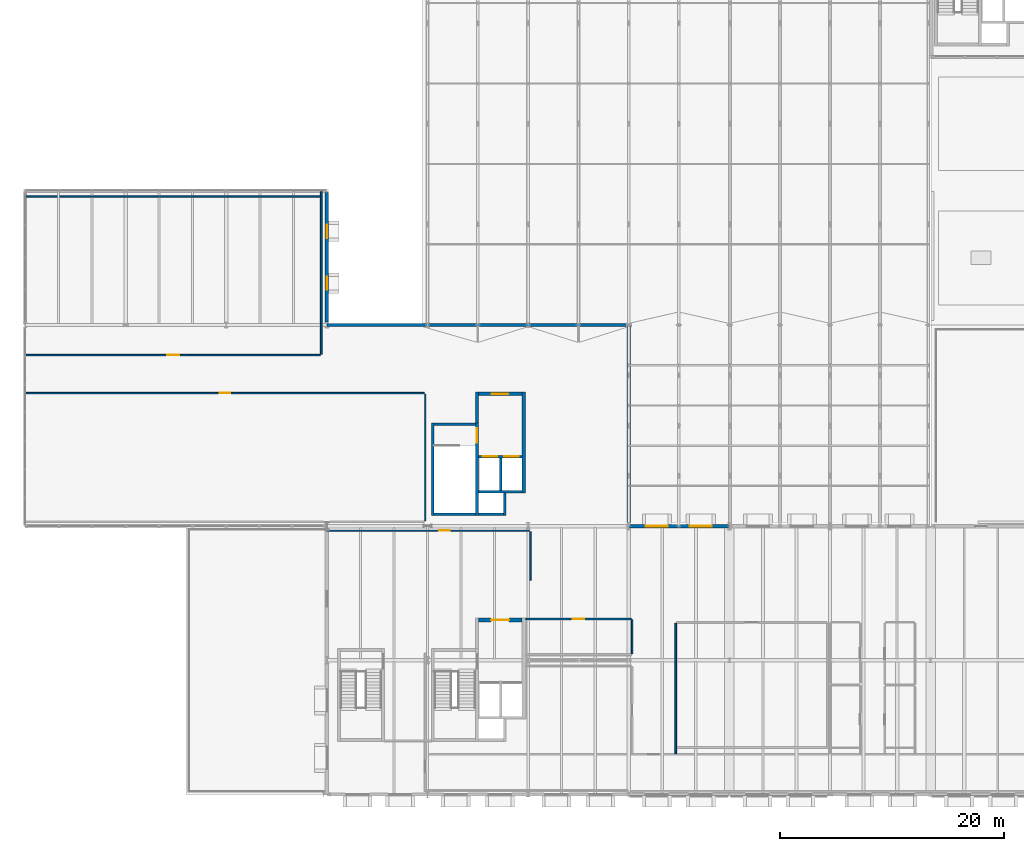
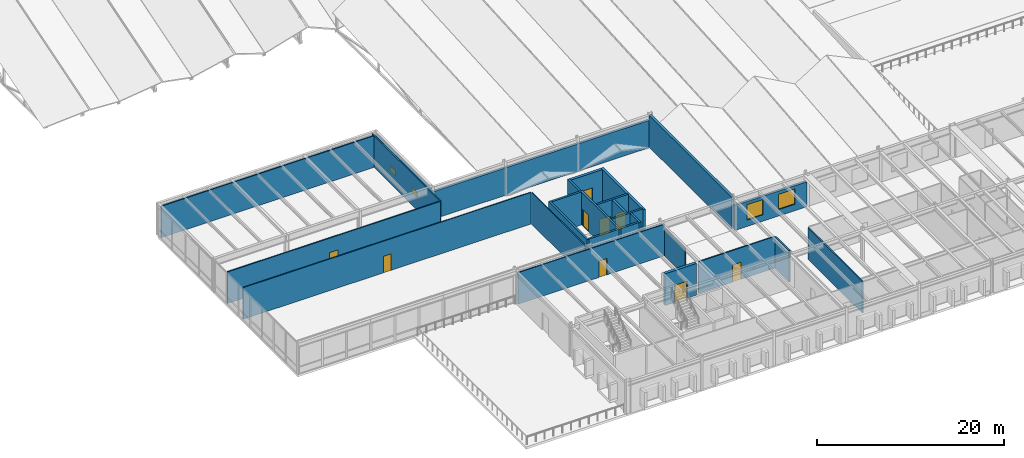
# One storey, part 131 of 142: 29 walls, 9 doors, 4 windows, 13 openings.
"""IFC4 building model written with IfcOpenShell, lengths in metres."""

from ifc_helpers import new_model, si_unit, direction, frame, frame_2d, origin, place, context, subcontext, project, spatial, rectangle, extrude, material, layer, layer_set, type_object, element, fill, save


model = new_model("IFC4")

# Units and contexts
model_context = context("Model", 3, precision=1e-05, world=origin(), true_north=direction((0.0, 1.0)))
body_context = subcontext(model_context, "Body", "Model", "MODEL_VIEW")
ifc_project = project(units=[si_unit("LENGTHUNIT", "METRE"), si_unit("AREAUNIT", "SQUARE_METRE"), si_unit("VOLUMEUNIT", "CUBIC_METRE"), si_unit("PLANEANGLEUNIT", "RADIAN"), si_unit("MASSUNIT", "GRAM", prefix="KILO")], contexts=[model_context])

# Site, building, storey
site_placement = place(None, origin())
site = spatial("IfcSite", under=ifc_project, at=site_placement, CompositionType="ELEMENT")
building_placement = place(site_placement, origin())
building = spatial("IfcBuilding", under=site, at=building_placement, Name="Montelvaro Courts of Justice", CompositionType="ELEMENT")
storey_placement = place(building_placement, frame((0.0, 0.0, 14.39990234375)))
storey = spatial("IfcBuildingStorey", under=building, at=storey_placement, Name="L03", CompositionType="ELEMENT", Elevation=14.39990234375)

# Wall
ifc_material_1 = material(Name="Gypsum board on metal stud")
ifc_layer_1 = layer(ifc_material_1, 0.14990234375)
ifc_layer_set_1 = layer_set([ifc_layer_1], Name="Gypsum board on metal stud")
wall_type_1 = type_object("IfcWallType", Name="ChambersPartition_150", PredefinedType="PARTITIONING", material=ifc_layer_set_1)
wall_1_placement = place(storey_placement, frame((44.5, 53.925048828125, 0.0), z_axis=(0.0, 0.0, 1.0), x_axis=(0.0, -1.0, 0.0)))
element("IfcWall", 1, at=wall_1_placement, inside=storey, type_object=wall_type_1, Name="Interior Partition IW-04 (L03)", PredefinedType="PARTITIONING", context=body_context, shape_type="SweptSolid", body=[
    extrude(rectangle(XDim=14.545166015625, YDim=0.14990234375, at=frame_2d((7.2724609375, 0.0))), origin(), (0.0, 0.0, 1.0), 4.14013671875),
])

# Wall, opening, door
wall_2_placement = place(storey_placement, frame((44.419921875, 39.300048828125, 0.0), z_axis=(0.0, 0.0, 1.0), x_axis=(-1.0, 0.0, 0.0)))
wall_2 = element("IfcWall", 2, at=wall_2_placement, inside=storey, type_object=wall_type_1, Name="Interior Partition IW-04 (L03)", PredefinedType="PARTITIONING", context=body_context, shape_type="SweptSolid", body=[
    extrude(rectangle(XDim=26.344970703125, YDim=0.14990234375, at=frame_2d((13.17236328125, 0.0))), origin(), (0.0, 0.0, 1.0), 4.14013671875),
])
opening_1_placement = place(wall_2_placement, frame((12.64697265625, 0.0, 0.0)))
opening_1 = element("IfcOpeningElement", 3, at=opening_1_placement, cuts=wall_2, Name="Opening D-L03-115", PredefinedType="OPENING", context=body_context, shape_type="SweptSolid", body=[
    extrude(rectangle(XDim=1.050048828125, YDim=2.25, at=frame_2d((0.52490234375, 1.125))), frame((0.0, 0.08984375, 0.0), z_axis=(0.0, -1.0, 0.0), x_axis=(1.0, 0.0, 0.0)), (0.0, 0.0, 1.0), 0.1796875),
])
ifc_material_2 = material(Name="Acoustic oak timber veneer", Category="wood")
door_type_1 = type_object("IfcDoorType", Name="ChamberDoor_105x225", OperationType="NOTDEFINED", PredefinedType="DOOR", material=ifc_material_2)
door_1_placement = place(opening_1_placement, frame((1.050048828125, 0.0, 0.0), z_axis=(0.0, 0.0, 1.0), x_axis=(-1.0, 0.0, 0.0)))
door_1 = element("IfcDoor", 4, at=door_1_placement, inside=storey, type_object=door_type_1, Name="Interior Door D-L03-115 (Jurisprudence Seminar Room)", OperationType="SINGLE_SWING_LEFT", OverallHeight=2.25, OverallWidth=1.050048828125, PredefinedType="DOOR", context=body_context, shape_type="SweptSolid", body=[
    extrude(rectangle(XDim=1.050048828125, YDim=2.25, at=frame_2d((0.52490234375, 1.125))), frame((0.0, 0.02490234375, 0.0), z_axis=(0.0, -1.0, 0.0), x_axis=(1.0, 0.0, 0.0)), (0.0, 0.0, 1.0), 0.050048828125),
])
fill(opening_1, door_1)

# Wall
wall_3_placement = place(storey_placement, frame((18.074951171875, 53.5, 0.0), z_axis=(0.0, 0.0, 1.0), x_axis=(1.0, 0.0, 0.0)))
element("IfcWall", 5, at=wall_3_placement, inside=storey, type_object=wall_type_1, Name="Interior Partition IW-04 (L03)", PredefinedType="PARTITIONING", context=body_context, shape_type="SweptSolid", body=[
    extrude(rectangle(XDim=26.35498046875, YDim=0.14990234375, at=frame_2d((13.177490234375, 0.0))), origin(), (0.0, 0.0, 1.0), 4.14013671875),
])

# Wall, opening, door
wall_4_placement = place(storey_placement, frame((62.794921875, 15.699951171875, 0.0), z_axis=(0.0, 0.0, 1.0), x_axis=(1.0, 0.0, 0.0)))
wall_4 = element("IfcWall", 6, at=wall_4_placement, inside=storey, type_object=wall_type_1, Name="Interior Partition IW-04 (L03)", PredefinedType="PARTITIONING", context=body_context, shape_type="SweptSolid", body=[
    extrude(rectangle(XDim=9.425048828125, YDim=0.14990234375, at=frame_2d((4.71240234375, 0.0))), origin(), (0.0, 0.0, 1.0), 4.14013671875),
])
opening_2_placement = place(wall_4_placement, frame((4.18701171875, 0.0, 0.0)))
opening_2 = element("IfcOpeningElement", 7, at=opening_2_placement, cuts=wall_4, Name="Opening D-L03-117", PredefinedType="OPENING", context=body_context, shape_type="SweptSolid", body=[
    extrude(rectangle(XDim=1.050048828125, YDim=2.25, at=frame_2d((0.52490234375, 1.125))), frame((0.0, 0.08984375, 0.0), z_axis=(0.0, -1.0, 0.0), x_axis=(1.0, 0.0, 0.0)), (0.0, 0.0, 1.0), 0.1796875),
])
door_2_placement = place(opening_2_placement, frame((1.050048828125, 0.0, 0.0), z_axis=(0.0, 0.0, 1.0), x_axis=(-1.0, 0.0, 0.0)))
door_2 = element("IfcDoor", 8, at=door_2_placement, inside=storey, type_object=door_type_1, Name="Interior Door D-L03-117 (Family Clerks' Research Room L03)", OperationType="SINGLE_SWING_LEFT", OverallHeight=2.25, OverallWidth=1.050048828125, PredefinedType="DOOR", context=body_context, shape_type="SweptSolid", body=[
    extrude(rectangle(XDim=1.050048828125, YDim=2.25, at=frame_2d((0.52490234375, 1.125))), frame((0.0, 0.02490234375, 0.0), z_axis=(0.0, -1.0, 0.0), x_axis=(1.0, 0.0, 0.0)), (0.0, 0.0, 1.0), 0.050048828125),
])
fill(opening_2, door_2)

# Walls
wall_5_placement = place(storey_placement, frame((72.300048828125, 15.6201171875, 0.0), z_axis=(0.0, 0.0, 1.0), x_axis=(0.0, -1.0, 0.0)))
element("IfcWall", 9, at=wall_5_placement, inside=storey, type_object=wall_type_1, Name="Interior Partition IW-04 (L03)", PredefinedType="PARTITIONING", context=body_context, shape_type="SweptSolid", body=[
    extrude(rectangle(XDim=3.0400390625, YDim=0.14990234375, at=frame_2d((1.52001953125, 0.0))), origin(), (0.0, 0.0, 1.0), 4.14013671875),
])
wall_6_placement = place(storey_placement, frame((76.199951171875, 3.655029296875, 0.0), z_axis=(0.0, 0.0, 1.0), x_axis=(0.0, 1.0, 0.0)))
element("IfcWall", 10, at=wall_6_placement, inside=storey, type_object=wall_type_1, Name="Interior Partition IW-04 (L03)", PredefinedType="PARTITIONING", context=body_context, shape_type="SweptSolid", body=[
    extrude(rectangle(XDim=11.6650390625, YDim=0.14990234375, at=frame_2d((5.83251953125, 0.0))), origin(), (0.0, 0.0, 1.0), 4.14013671875),
])

# Wall, opening, door
ifc_material_3 = material(Name="Concrete C40/50", Category="concrete")
ifc_layer_2 = layer(ifc_material_3, 0.320068359375)
ifc_layer_set_2 = layer_set([ifc_layer_2], Name="Concrete C40/50")
wall_type_2 = type_object("IfcWallType", Name="CoreWall_320", PredefinedType="SHEAR", material=ifc_layer_set_2)
wall_7_placement = place(storey_placement, frame((58.5400390625, 35.840087890625, 0.0), z_axis=(0.0, 0.0, 1.0), x_axis=(1.0, 0.0, 0.0)))
wall_7 = element("IfcWall", 11, at=wall_7_placement, inside=storey, type_object=wall_type_2, Name="Core Shear Wall CW-02 K5-N (L03)", PredefinedType="SHEAR", context=body_context, shape_type="SweptSolid", body=[
    extrude(rectangle(XDim=3.89990234375, YDim=0.320068359375, at=frame_2d((1.949951171875, 0.0))), origin(), (0.0, 0.0, 1.0), 4.16015625),
])
opening_3_placement = place(wall_7_placement, frame((1.22509765625, 0.0, 0.0)))
opening_3 = element("IfcOpeningElement", 12, at=opening_3_placement, cuts=wall_7, Name="Opening DL-L03-K5", PredefinedType="OPENING", context=body_context, shape_type="SweptSolid", body=[
    extrude(rectangle(XDim=1.449951171875, YDim=2.199951171875, at=frame_2d((0.72509765625, 1.10009765625))), frame((0.0, 0.1748046875, 0.0), z_axis=(0.0, -1.0, 0.0), x_axis=(1.0, 0.0, 0.0)), (0.0, 0.0, 1.0), 0.349853515625),
])
ifc_material_4 = material(Name="Galvanised steel S355 security door", Category="steel")
door_type_2 = type_object("IfcDoorType", Name="LobbyFireDoor_145x220", OperationType="DOUBLE_DOOR_SINGLE_SWING", PredefinedType="DOOR", material=ifc_material_4)
door_3_placement = place(opening_3_placement, origin())
door_3 = element("IfcDoor", 13, at=door_3_placement, inside=storey, type_object=door_type_2, Name="Core Lobby Fire Door DL-L03-K5", OperationType="DOUBLE_DOOR_SINGLE_SWING", OverallHeight=2.199951171875, OverallWidth=1.449951171875, PredefinedType="DOOR", context=body_context, shape_type="SweptSolid", body=[
    extrude(rectangle(XDim=1.449951171875, YDim=2.199951171875, at=frame_2d((0.72509765625, 1.10009765625))), frame((0.0, 0.02490234375, 0.0), z_axis=(0.0, -1.0, 0.0), x_axis=(1.0, 0.0, 0.0)), (0.0, 0.0, 1.0), 0.050048828125),
])
fill(opening_3, door_3)

# Wall
wall_8_placement = place(storey_placement, frame((62.60009765625, 26.9599609375, 0.0), z_axis=(0.0, 0.0, 1.0), x_axis=(0.0, 1.0, 0.0)))
element("IfcWall", 14, at=wall_8_placement, inside=storey, type_object=wall_type_2, Name="Core Shear Wall CW-02 K5-E (L03)", PredefinedType="SHEAR", context=body_context, shape_type="SweptSolid", body=[
    extrude(rectangle(XDim=9.0400390625, YDim=0.320068359375, at=frame_2d((4.52001953125, 0.0))), origin(), (0.0, 0.0, 1.0), 4.16015625),
])

# Wall, opening, door
ifc_layer_3 = layer(ifc_material_3, 0.360107421875)
ifc_layer_set_3 = layer_set([ifc_layer_3], Name="Concrete C40/50")
wall_type_3 = type_object("IfcWallType", Name="CoreWall_360", PredefinedType="SHEAR", material=ifc_layer_set_3)
wall_9_placement = place(storey_placement, frame((58.5400390625, 15.6201171875, 0.0), z_axis=(0.0, 0.0, 1.0), x_axis=(1.0, 0.0, 0.0)))
wall_9 = element("IfcWall", 15, at=wall_9_placement, inside=storey, type_object=wall_type_3, Name="Core Shear Wall CW-01 K1-N (L03)", PredefinedType="SHEAR", context=body_context, shape_type="SweptSolid", body=[
    extrude(rectangle(XDim=3.89990234375, YDim=0.360107421875, at=frame_2d((1.949951171875, 0.0))), origin(), (0.0, 0.0, 1.0), 4.16015625),
])
opening_4_placement = place(wall_9_placement, frame((1.14990234375, 0.0, 0.0)))
opening_4 = element("IfcOpeningElement", 16, at=opening_4_placement, cuts=wall_9, Name="Opening DL-L03-K1", PredefinedType="OPENING", context=body_context, shape_type="SweptSolid", body=[
    extrude(rectangle(XDim=1.60009765625, YDim=2.25, at=frame_2d((0.800048828125, 1.125))), frame((0.0, 0.19482421875, 0.0), z_axis=(0.0, -1.0, 0.0), x_axis=(1.0, 0.0, 0.0)), (0.0, 0.0, 1.0), 0.389892578125),
])
door_type_3 = type_object("IfcDoorType", Name="LobbyFireDoor_160x225", OperationType="DOUBLE_DOOR_SINGLE_SWING", PredefinedType="DOOR", material=ifc_material_4)
door_4_placement = place(opening_4_placement, origin())
door_4 = element("IfcDoor", 17, at=door_4_placement, inside=storey, type_object=door_type_3, Name="Core Lobby Fire Door DL-L03-K1", OperationType="DOUBLE_DOOR_SINGLE_SWING", OverallHeight=2.25, OverallWidth=1.60009765625, PredefinedType="DOOR", context=body_context, shape_type="SweptSolid", body=[
    extrude(rectangle(XDim=1.60009765625, YDim=2.25, at=frame_2d((0.800048828125, 1.125))), frame((0.0, 0.02490234375, 0.0), z_axis=(0.0, -1.0, 0.0), x_axis=(1.0, 0.0, 0.0)), (0.0, 0.0, 1.0), 0.050048828125),
])
fill(opening_4, door_4)

# Walls
ifc_material_5 = material(Name="White mineral precast concrete C45/55", Category="concrete")
ifc_layer_4 = layer(ifc_material_5, 0.300048828125)
ifc_layer_set_4 = layer_set([ifc_layer_4], Name="White mineral precast concrete C45/55")
wall_type_4 = type_object("IfcWallType", Name="ExtWall_GFRC_300", PredefinedType="SOLIDWALL", material=ifc_layer_set_4)
wall_10_placement = place(storey_placement, frame((72.0, 24.322998046875, 0.0), z_axis=(0.0, 0.0, 1.0), x_axis=(0.0, 1.0, 0.0)))
element("IfcWall", 18, at=wall_10_placement, inside=storey, type_object=wall_type_4, Name="Exterior Facade Wall EW-02 (L03)", PredefinedType="SOLIDWALL", context=body_context, shape_type="SweptSolid", body=[
    extrude(rectangle(XDim=17.6689453125, YDim=0.300048828125, at=frame_2d((8.83447265625, 0.0))), origin(), (0.0, 0.0, 1.0), 4.18017578125),
])
wall_11_placement = place(storey_placement, frame((71.777099609375, 42.0, 0.0), z_axis=(0.0, 0.0, 1.0), x_axis=(-1.0, 0.0, 0.0)))
element("IfcWall", 19, at=wall_11_placement, inside=storey, type_object=wall_type_4, Name="Exterior Facade Wall EW-02 (L03)", PredefinedType="SOLIDWALL", context=body_context, shape_type="SweptSolid", body=[
    extrude(rectangle(XDim=8.76904296875, YDim=0.300048828125, at=frame_2d((4.384521484375, 0.0))), origin(), (0.0, 0.0, 1.0), 3.59521484375),
])
for number, where, z_axis, x_axis, name in (
    (20, (62.991943359375, 42.0, 0.0), (0.0, 0.0, 1.0), (-1.0, 0.0, 0.0), "Exterior Facade Wall EW-02 (L03)"),
    (21, (53.991943359375, 42.0, 0.0), (0.0, 0.0, 1.0), (-1.0, 0.0, 0.0), "Exterior Facade Wall EW-02 (L03)"),
):
    element("IfcWall", number, at=place(storey_placement, frame(where, z_axis=z_axis, x_axis=x_axis)), inside=storey, type_object=wall_type_4, Name=name, PredefinedType="SOLIDWALL", context=body_context, shape_type="SweptSolid", body=[
        extrude(rectangle(XDim=8.98388671875, YDim=0.300048828125, at=frame_2d((4.491943359375, 0.0))), origin(), (0.0, 0.0, 1.0), 3.59521484375),
    ])

# Wall, openings, windows
wall_12_placement = place(storey_placement, frame((45.0, 42.248046875, 0.0), z_axis=(0.0, 0.0, 1.0), x_axis=(0.0, 1.0, 0.0)))
wall_12 = element("IfcWall", 22, at=wall_12_placement, inside=storey, type_object=wall_type_4, Name="Exterior Facade Wall EW-02 (L03)", PredefinedType="SOLIDWALL", context=body_context, shape_type="SweptSolid", body=[
    extrude(rectangle(XDim=11.614013671875, YDim=0.300048828125, at=frame_2d((5.80712890625, 0.0))), origin(), (0.0, 0.0, 1.0), 3.80517578125),
])
opening_5_placement = place(wall_12_placement, frame((2.884033203125, 0.0, 0.85009765625)))
opening_5 = element("IfcOpeningElement", 23, at=opening_5_placement, cuts=wall_12, Name="Opening WE-30", PredefinedType="OPENING", context=body_context, shape_type="SweptSolid", body=[
    extrude(rectangle(XDim=1.199951171875, YDim=0.699951171875, at=frame_2d((0.60009765625, 0.35009765625))), frame((0.0, 0.1650390625, 0.0), z_axis=(0.0, -1.0, 0.0), x_axis=(1.0, 0.0, 0.0)), (0.0, 0.0, 1.0), 0.329833984375),
])
opening_6_placement = place(wall_12_placement, frame((7.530029296875, 0.0, 0.85009765625)))
opening_6 = element("IfcOpeningElement", 24, at=opening_6_placement, cuts=wall_12, Name="Opening WE-30", PredefinedType="OPENING", context=body_context, shape_type="SweptSolid", body=[
    extrude(rectangle(XDim=1.199951171875, YDim=0.699951171875, at=frame_2d((0.60009765625, 0.35009765625))), frame((0.0, 0.1650390625, 0.0), z_axis=(0.0, -1.0, 0.0), x_axis=(1.0, 0.0, 0.0)), (0.0, 0.0, 1.0), 0.329833984375),
])
ifc_material_6 = material(Name="Low-E solar control double glazing", Category="glass")
window_type_1 = type_object("IfcWindowType", Name="Win_Slot_120x070", PartitioningType="SINGLE_PANEL", PredefinedType="WINDOW", material=ifc_material_6)
window_1_placement = place(opening_5_placement, origin())
window_1 = element("IfcWindow", 25, at=window_1_placement, inside=storey, type_object=window_type_1, Name="Window W-L03-147", OverallHeight=0.699951171875, OverallWidth=1.199951171875, PartitioningType="SINGLE_PANEL", PredefinedType="WINDOW", context=body_context, shape_type="SweptSolid", body=[
    extrude(rectangle(XDim=1.199951171875, YDim=0.699951171875, at=frame_2d((0.60009765625, 0.35009765625))), frame((0.0, 0.030029296875, 0.0), z_axis=(0.0, -1.0, 0.0), x_axis=(1.0, 0.0, 0.0)), (0.0, 0.0, 1.0), 0.06005859375),
])
fill(opening_5, window_1)
window_2_placement = place(opening_6_placement, origin())
window_2 = element("IfcWindow", 26, at=window_2_placement, inside=storey, type_object=window_type_1, Name="Window W-L03-148", OverallHeight=0.699951171875, OverallWidth=1.199951171875, PartitioningType="SINGLE_PANEL", PredefinedType="WINDOW", context=body_context, shape_type="SweptSolid", body=[
    extrude(rectangle(XDim=1.199951171875, YDim=0.699951171875, at=frame_2d((0.60009765625, 0.35009765625))), frame((0.0, 0.030029296875, 0.0), z_axis=(0.0, -1.0, 0.0), x_axis=(1.0, 0.0, 0.0)), (0.0, 0.0, 1.0), 0.06005859375),
])
fill(opening_6, window_2)

wall_13_placement = place(storey_placement, frame((80.94189453125, 24.0, 0.0), z_axis=(0.0, 0.0, 1.0), x_axis=(-1.0, 0.0, 0.0)))
wall_13 = element("IfcWall", 27, at=wall_13_placement, inside=storey, type_object=wall_type_4, Name="Exterior Facade Wall EW-02 (L03)", PredefinedType="SOLIDWALL", context=body_context, shape_type="SweptSolid", body=[
    extrude(rectangle(XDim=8.933837890625, YDim=0.300048828125, at=frame_2d((4.466796875, 0.0))), origin(), (0.0, 0.0, 1.0), 3.275146484375),
])
opening_7_placement = place(wall_13_placement, frame((1.501953125, 0.0, 0.85009765625)))
opening_7 = element("IfcOpeningElement", 28, at=opening_7_placement, cuts=wall_13, Name="Opening WE-11", PredefinedType="OPENING", context=body_context, shape_type="SweptSolid", body=[
    extrude(rectangle(XDim=2.0, YDim=2.0, at=frame_2d((1.0, 1.0))), frame((0.0, 0.1650390625, 0.0), z_axis=(0.0, -1.0, 0.0), x_axis=(1.0, 0.0, 0.0)), (0.0, 0.0, 1.0), 0.329833984375),
])
opening_8_placement = place(wall_13_placement, frame((5.431884765625, 0.0, 0.85009765625)))
opening_8 = element("IfcOpeningElement", 29, at=opening_8_placement, cuts=wall_13, Name="Opening WE-11", PredefinedType="OPENING", context=body_context, shape_type="SweptSolid", body=[
    extrude(rectangle(XDim=2.0, YDim=2.0, at=frame_2d((1.0, 1.0))), frame((0.0, 0.1650390625, 0.0), z_axis=(0.0, -1.0, 0.0), x_axis=(1.0, 0.0, 0.0)), (0.0, 0.0, 1.0), 0.329833984375),
])
window_type_2 = type_object("IfcWindowType", Name="Win_Sq_200x200", PartitioningType="SINGLE_PANEL", PredefinedType="WINDOW", material=ifc_material_6)
window_3_placement = place(opening_7_placement, origin())
window_3 = element("IfcWindow", 30, at=window_3_placement, inside=storey, type_object=window_type_2, Name="Window W-L03-157", OverallHeight=2.0, OverallWidth=2.0, PartitioningType="SINGLE_PANEL", PredefinedType="WINDOW", context=body_context, shape_type="SweptSolid", body=[
    extrude(rectangle(XDim=2.0, YDim=2.0, at=frame_2d((1.0, 1.0))), frame((0.0, 0.030029296875, 0.0), z_axis=(0.0, -1.0, 0.0), x_axis=(1.0, 0.0, 0.0)), (0.0, 0.0, 1.0), 0.06005859375),
])
fill(opening_7, window_3)
window_4_placement = place(opening_8_placement, origin())
window_4 = element("IfcWindow", 31, at=window_4_placement, inside=storey, type_object=window_type_2, Name="Window W-L03-158", OverallHeight=2.0, OverallWidth=2.0, PartitioningType="SINGLE_PANEL", PredefinedType="WINDOW", context=body_context, shape_type="SweptSolid", body=[
    extrude(rectangle(XDim=2.0, YDim=2.0, at=frame_2d((1.0, 1.0))), frame((0.0, 0.030029296875, 0.0), z_axis=(0.0, -1.0, 0.0), x_axis=(1.0, 0.0, 0.0)), (0.0, 0.0, 1.0), 0.06005859375),
])
fill(opening_8, window_4)

# Wall, opening, door
ifc_layer_5 = layer(ifc_material_1, 0.1201171875)
ifc_layer_set_5 = layer_set([ifc_layer_5], Name="Gypsum board on metal stud")
wall_type_5 = type_object("IfcWallType", Name="OfficePartition_120", PredefinedType="PARTITIONING", material=ifc_layer_set_5)
wall_14_placement = place(storey_placement, frame((18.074951171875, 35.89990234375, 0.0), z_axis=(0.0, 0.0, 1.0), x_axis=(1.0, 0.0, 0.0)))
wall_14 = element("IfcWall", 32, at=wall_14_placement, inside=storey, type_object=wall_type_5, Name="Interior Partition IW-05 (L03)", PredefinedType="PARTITIONING", context=body_context, shape_type="SweptSolid", body=[
    extrude(rectangle(XDim=35.64501953125, YDim=0.1201171875, at=frame_2d((17.822509765625, 0.0))), origin(), (0.0, 0.0, 1.0), 4.14013671875),
])
opening_9_placement = place(wall_14_placement, frame((17.346923828125, 0.0, 0.0)))
opening_9 = element("IfcOpeningElement", 33, at=opening_9_placement, cuts=wall_14, Name="Opening D-L03-114", PredefinedType="OPENING", context=body_context, shape_type="SweptSolid", body=[
    extrude(rectangle(XDim=0.949951171875, YDim=2.14990234375, at=frame_2d((0.47509765625, 1.074951171875))), frame((0.0, 0.074951171875, 0.0), z_axis=(0.0, -1.0, 0.0), x_axis=(1.0, 0.0, 0.0)), (0.0, 0.0, 1.0), 0.14990234375),
])
door_type_4 = type_object("IfcDoorType", Name="OfficeDoor_095x215", OperationType="NOTDEFINED", PredefinedType="DOOR", material=ifc_material_2)
door_5_placement = place(opening_9_placement, origin())
door_5 = element("IfcDoor", 34, at=door_5_placement, inside=storey, type_object=door_type_4, Name="Interior Door D-L03-114 (Law Library Main North-Light Reading Hall)", OperationType="SINGLE_SWING_RIGHT", OverallHeight=2.14990234375, OverallWidth=0.949951171875, PredefinedType="DOOR", context=body_context, shape_type="SweptSolid", body=[
    extrude(rectangle(XDim=0.949951171875, YDim=2.14990234375, at=frame_2d((0.47509765625, 1.074951171875))), frame((0.0, 0.02490234375, 0.0), z_axis=(0.0, -1.0, 0.0), x_axis=(1.0, 0.0, 0.0)), (0.0, 0.0, 1.0), 0.050048828125),
])
fill(opening_9, door_5)

# Wall
wall_15_placement = place(storey_placement, frame((53.800048828125, 35.820068359375, 0.0), z_axis=(0.0, 0.0, 1.0), x_axis=(0.0, -1.0, 0.0)))
element("IfcWall", 35, at=wall_15_placement, inside=storey, type_object=wall_type_5, Name="Interior Partition IW-05 (L03)", PredefinedType="PARTITIONING", context=body_context, shape_type="SweptSolid", body=[
    extrude(rectangle(XDim=11.340087890625, YDim=0.1201171875, at=frame_2d((5.669921875, 0.0))), origin(), (0.0, 0.0, 1.0), 4.14013671875),
])

# Wall, opening, door
wall_16_placement = place(storey_placement, frame((45.008056640625, 23.60009765625, 0.0), z_axis=(0.0, 0.0, 1.0), x_axis=(1.0, 0.0, 0.0)))
wall_16 = element("IfcWall", 36, at=wall_16_placement, inside=storey, type_object=wall_type_5, Name="Interior Partition IW-05 (L03)", PredefinedType="PARTITIONING", context=body_context, shape_type="SweptSolid", body=[
    extrude(rectangle(XDim=18.112060546875, YDim=0.1201171875, at=frame_2d((9.05615234375, 0.0))), origin(), (0.0, 0.0, 1.0), 4.14013671875),
])
opening_10_placement = place(wall_16_placement, frame((10.030029296875, 0.0, 0.0)))
opening_10 = element("IfcOpeningElement", 37, at=opening_10_placement, cuts=wall_16, Name="Opening D-L03-118", PredefinedType="OPENING", context=body_context, shape_type="SweptSolid", body=[
    extrude(rectangle(XDim=0.949951171875, YDim=2.14990234375, at=frame_2d((0.47509765625, 1.074951171875))), frame((0.0, 0.074951171875, 0.0), z_axis=(0.0, -1.0, 0.0), x_axis=(1.0, 0.0, 0.0)), (0.0, 0.0, 1.0), 0.14990234375),
])
door_6_placement = place(opening_10_placement, origin())
door_6 = element("IfcDoor", 38, at=door_6_placement, inside=storey, type_object=door_type_4, Name="Interior Door D-L03-118 (Administrative Magistrates' Chambers West L03)", OperationType="SINGLE_SWING_RIGHT", OverallHeight=2.14990234375, OverallWidth=0.949951171875, PredefinedType="DOOR", context=body_context, shape_type="SweptSolid", body=[
    extrude(rectangle(XDim=0.949951171875, YDim=2.14990234375, at=frame_2d((0.47509765625, 1.074951171875))), frame((0.0, 0.02490234375, 0.0), z_axis=(0.0, -1.0, 0.0), x_axis=(1.0, 0.0, 0.0)), (0.0, 0.0, 1.0), 0.050048828125),
])
fill(opening_10, door_6)

# Walls
wall_17_placement = place(storey_placement, frame((63.199951171875, 23.52001953125, 0.0), z_axis=(0.0, 0.0, 1.0), x_axis=(0.0, -1.0, 0.0)))
element("IfcWall", 39, at=wall_17_placement, inside=storey, type_object=wall_type_5, Name="Interior Partition IW-05 (L03)", PredefinedType="PARTITIONING", context=body_context, shape_type="SweptSolid", body=[
    extrude(rectangle(XDim=4.340087890625, YDim=0.1201171875, at=frame_2d((2.169921875, 0.0))), origin(), (0.0, 0.0, 1.0), 3.5751953125),
])
ifc_material_7 = material(Name="Concrete C35/45", Category="concrete")
ifc_layer_6 = layer(ifc_material_7, 0.239990234375)
ifc_layer_set_6 = layer_set([ifc_layer_6], Name="Concrete C35/45")
wall_type_6 = type_object("IfcWallType", Name="ShaftWall_240", PredefinedType="SHEAR", material=ifc_layer_set_6)
wall_18_placement = place(storey_placement, frame((54.47998046875, 24.9599609375, 0.0), z_axis=(0.0, 0.0, 1.0), x_axis=(0.0, 1.0, 0.0)))
element("IfcWall", 40, at=wall_18_placement, inside=storey, type_object=wall_type_6, Name="Protected Stair Structural Wall ST-W1-W (L03)", PredefinedType="SHEAR", context=body_context, shape_type="SweptSolid", body=[
    extrude(rectangle(XDim=8.280029296875, YDim=0.239990234375, at=frame_2d((4.14013671875, 0.0))), origin(), (0.0, 0.0, 1.0), 4.31005859375),
])

# Wall, opening, door
wall_19_placement = place(storey_placement, frame((58.419921875, 24.9599609375, 0.0), z_axis=(0.0, 0.0, 1.0), x_axis=(0.0, 1.0, 0.0)))
wall_19 = element("IfcWall", 41, at=wall_19_placement, inside=storey, type_object=wall_type_6, Name="Protected Stair Structural Wall ST-W1-E (L03)", PredefinedType="SHEAR", context=body_context, shape_type="SweptSolid", body=[
    extrude(rectangle(XDim=8.280029296875, YDim=0.239990234375, at=frame_2d((4.14013671875, 0.0))), origin(), (0.0, 0.0, 1.0), 4.31005859375),
])
opening_11_placement = place(wall_19_placement, frame((6.489990234375, 0.0, 0.0)))
opening_11 = element("IfcOpeningElement", 42, at=opening_11_placement, cuts=wall_19, Name="Opening DS-L03-K5", PredefinedType="OPENING", context=body_context, shape_type="SweptSolid", body=[
    extrude(rectangle(XDim=1.300048828125, YDim=2.199951171875, at=frame_2d((0.64990234375, 1.10009765625))), frame((0.0, 0.134765625, 0.0), z_axis=(0.0, -1.0, 0.0), x_axis=(1.0, 0.0, 0.0)), (0.0, 0.0, 1.0), 0.269775390625),
])
door_type_5 = type_object("IfcDoorType", Name="StairFireDoor_130x220", OperationType="NOTDEFINED", PredefinedType="DOOR", material=ifc_material_4)
door_7_placement = place(opening_11_placement, frame((1.300048828125, 0.0, 0.0), z_axis=(0.0, 0.0, 1.0), x_axis=(-1.0, 0.0, 0.0)))
door_7 = element("IfcDoor", 43, at=door_7_placement, inside=storey, type_object=door_type_5, Name="Protected Stair Fire Door DS-L03-K5", OperationType="SINGLE_SWING_LEFT", OverallHeight=2.199951171875, OverallWidth=1.300048828125, PredefinedType="DOOR", context=body_context, shape_type="SweptSolid", body=[
    extrude(rectangle(XDim=1.300048828125, YDim=2.199951171875, at=frame_2d((0.64990234375, 1.10009765625))), frame((0.0, 0.02490234375, 0.0), z_axis=(0.0, -1.0, 0.0), x_axis=(1.0, 0.0, 0.0)), (0.0, 0.0, 1.0), 0.050048828125),
])
fill(opening_11, door_7)

# Walls
for number, where, z_axis, x_axis, name in (
    (44, (54.60009765625, 25.080078125, 0.0), (0.0, 0.0, 1.0), (1.0, 0.0, 0.0), "Protected Stair Structural Wall ST-W1-S (L03)"),
    (45, (54.60009765625, 33.1201171875, 0.0), (0.0, 0.0, 1.0), (1.0, 0.0, 0.0), "Protected Stair Structural Wall ST-W1-N (L03)"),
):
    element("IfcWall", number, at=place(storey_placement, frame(where, z_axis=z_axis, x_axis=x_axis)), inside=storey, type_object=wall_type_6, Name=name, PredefinedType="SHEAR", context=body_context, shape_type="SweptSolid", body=[
        extrude(rectangle(XDim=3.699951171875, YDim=0.239990234375, at=frame_2d((1.85009765625, 0.0))), origin(), (0.0, 0.0, 1.0), 4.31005859375),
    ])
wall_20_placement = place(storey_placement, frame((58.419921875, 33.239990234375, 0.0), z_axis=(0.0, 0.0, 1.0), x_axis=(0.0, 1.0, 0.0)))
element("IfcWall", 46, at=wall_20_placement, inside=storey, type_object=wall_type_6, Name="Core Lobby Structural Wall K5-W (L03)", PredefinedType="SHEAR", context=body_context, shape_type="SweptSolid", body=[
    extrude(rectangle(XDim=2.760009765625, YDim=0.239990234375, at=frame_2d((1.3798828125, 0.0))), origin(), (0.0, 0.0, 1.0), 4.16015625),
])

# Wall, openings, doors
wall_21_placement = place(storey_placement, frame((58.5400390625, 30.219970703125, 0.0), z_axis=(0.0, 0.0, 1.0), x_axis=(1.0, 0.0, 0.0)))
wall_21 = element("IfcWall", 47, at=wall_21_placement, inside=storey, type_object=wall_type_6, Name="Lift Shaft Bank Wall K5 (L03)", PredefinedType="SHEAR", context=body_context, shape_type="SweptSolid", body=[
    extrude(rectangle(XDim=3.89990234375, YDim=0.239990234375, at=frame_2d((1.949951171875, 0.0))), origin(), (0.0, 0.0, 1.0), 4.31005859375),
])
opening_12_placement = place(wall_21_placement, frame((0.385009765625, 0.0, 0.0)))
opening_12 = element("IfcOpeningElement", 48, at=opening_12_placement, cuts=wall_21, Name="Opening LD-LP-03-L03", PredefinedType="OPENING", context=body_context, shape_type="SweptSolid", body=[
    extrude(rectangle(XDim=1.300048828125, YDim=2.199951171875, at=frame_2d((0.64990234375, 1.10009765625))), frame((0.0, 0.134765625, 0.0), z_axis=(0.0, -1.0, 0.0), x_axis=(1.0, 0.0, 0.0)), (0.0, 0.0, 1.0), 0.269775390625),
])
opening_13_placement = place(wall_21_placement, frame((2.3349609375, 0.0, 0.0)))
opening_13 = element("IfcOpeningElement", 49, at=opening_13_placement, cuts=wall_21, Name="Opening LD-LJ-03-L03", PredefinedType="OPENING", context=body_context, shape_type="SweptSolid", body=[
    extrude(rectangle(XDim=1.300048828125, YDim=2.199951171875, at=frame_2d((0.64990234375, 1.10009765625))), frame((0.0, 0.134765625, 0.0), z_axis=(0.0, -1.0, 0.0), x_axis=(1.0, 0.0, 0.0)), (0.0, 0.0, 1.0), 0.269775390625),
])
door_type_6 = type_object("IfcDoorType", Name="LiftDoor_130x220", OperationType="DOUBLE_DOOR_SLIDING", PredefinedType="DOOR", material=ifc_material_4)
door_8_placement = place(opening_12_placement, origin())
door_8 = element("IfcDoor", 50, at=door_8_placement, inside=storey, type_object=door_type_6, Name="Lift Landing Sliding Door LD-LP-03-L03", OperationType="DOUBLE_DOOR_SLIDING", OverallHeight=2.199951171875, OverallWidth=1.300048828125, PredefinedType="DOOR", context=body_context, shape_type="SweptSolid", body=[
    extrude(rectangle(XDim=1.300048828125, YDim=2.199951171875, at=frame_2d((0.64990234375, 1.10009765625))), frame((0.0, 0.02490234375, 0.0), z_axis=(0.0, -1.0, 0.0), x_axis=(1.0, 0.0, 0.0)), (0.0, 0.0, 1.0), 0.050048828125),
])
fill(opening_12, door_8)
door_9_placement = place(opening_13_placement, origin())
door_9 = element("IfcDoor", 51, at=door_9_placement, inside=storey, type_object=door_type_6, Name="Lift Landing Sliding Door LD-LJ-03-L03", OperationType="DOUBLE_DOOR_SLIDING", OverallHeight=2.199951171875, OverallWidth=1.300048828125, PredefinedType="DOOR", context=body_context, shape_type="SweptSolid", body=[
    extrude(rectangle(XDim=1.300048828125, YDim=2.199951171875, at=frame_2d((0.64990234375, 1.10009765625))), frame((0.0, 0.02490234375, 0.0), z_axis=(0.0, -1.0, 0.0), x_axis=(1.0, 0.0, 0.0)), (0.0, 0.0, 1.0), 0.050048828125),
])
fill(opening_13, door_9)

# Walls
wall_22_placement = place(storey_placement, frame((58.5400390625, 27.080078125, 0.0), z_axis=(0.0, 0.0, 1.0), x_axis=(1.0, 0.0, 0.0)))
element("IfcWall", 52, at=wall_22_placement, inside=storey, type_object=wall_type_6, Name="Lift Shaft Back Wall K5 (L03)", PredefinedType="SHEAR", context=body_context, shape_type="SweptSolid", body=[
    extrude(rectangle(XDim=3.89990234375, YDim=0.239990234375, at=frame_2d((1.949951171875, 0.0))), origin(), (0.0, 0.0, 1.0), 4.31005859375),
])
wall_23_placement = place(storey_placement, frame((60.550048828125, 27.199951171875, 0.0), z_axis=(0.0, 0.0, 1.0), x_axis=(0.0, 1.0, 0.0)))
element("IfcWall", 53, at=wall_23_placement, inside=storey, type_object=wall_type_6, Name="Lift Shaft Divider Wall K5-LFD1 (L03)", PredefinedType="SHEAR", context=body_context, shape_type="SweptSolid", body=[
    extrude(rectangle(XDim=2.900146484375, YDim=0.239990234375, at=frame_2d((1.4501953125, 0.0))), origin(), (0.0, 0.0, 1.0), 4.31005859375),
])
wall_24_placement = place(storey_placement, frame((60.919921875, 24.9599609375, 0.0), z_axis=(0.0, 0.0, 1.0), x_axis=(0.0, 1.0, 0.0)))
element("IfcWall", 54, at=wall_24_placement, inside=storey, type_object=wall_type_6, Name="Service Riser East Shaft Wall K5 (L03)", PredefinedType="SHEAR", context=body_context, shape_type="SweptSolid", body=[
    extrude(rectangle(XDim=2.0, YDim=0.239990234375, at=frame_2d((1.0, 0.0))), origin(), (0.0, 0.0, 1.0), 4.31005859375),
])
wall_25_placement = place(storey_placement, frame((58.5400390625, 25.080078125, 0.0), z_axis=(0.0, 0.0, 1.0), x_axis=(1.0, 0.0, 0.0)))
element("IfcWall", 55, at=wall_25_placement, inside=storey, type_object=wall_type_6, Name="Service Riser South Shaft Wall K5 (L03)", PredefinedType="SHEAR", context=body_context, shape_type="SweptSolid", body=[
    extrude(rectangle(XDim=2.260009765625, YDim=0.239990234375, at=frame_2d((1.1298828125, 0.0))), origin(), (0.0, 0.0, 1.0), 4.31005859375),
])

save(model, "model.ifc")
